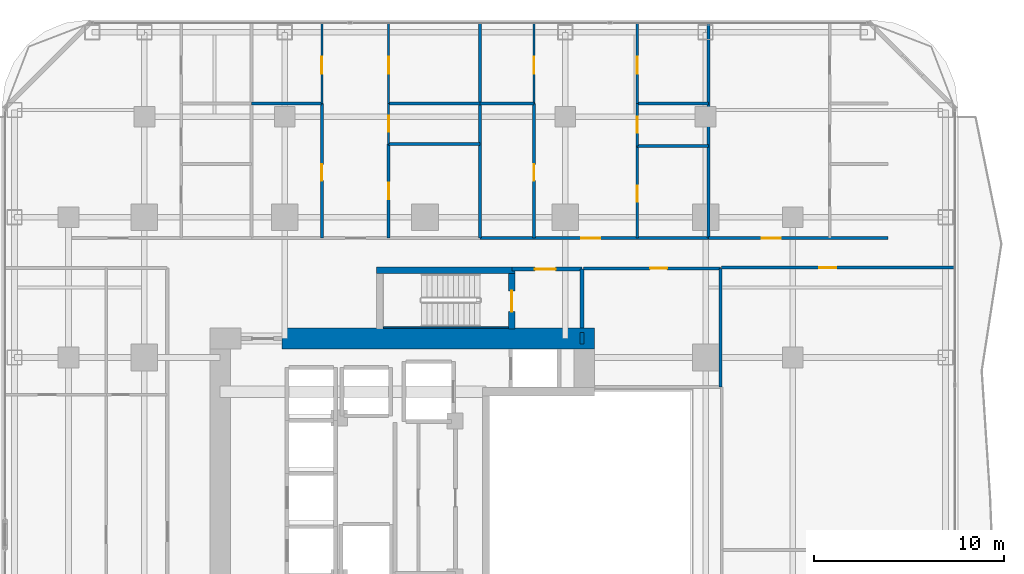
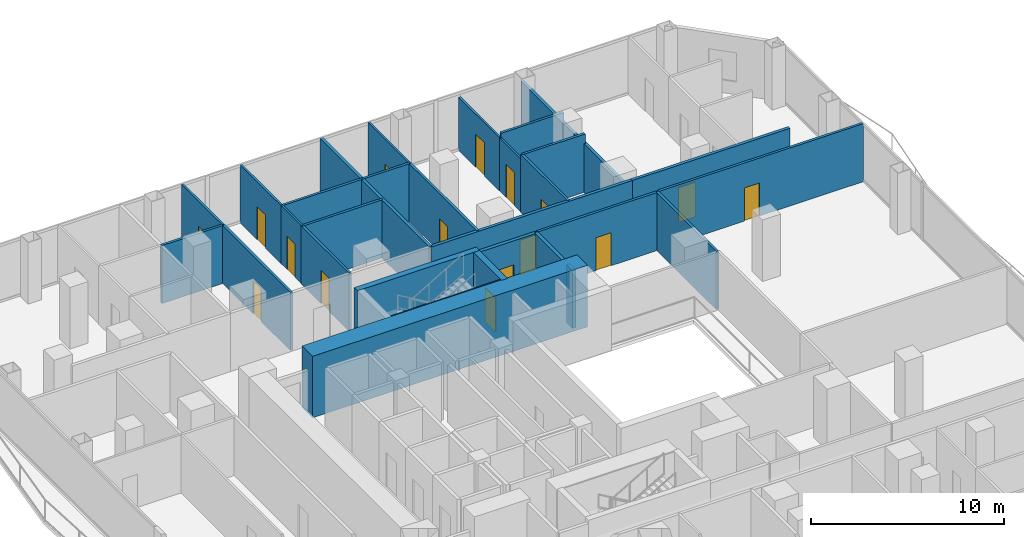
# One storey, part 23 of 27: 30 walls, 16 doors, 16 openings.
"""IFC4 building model written with IfcOpenShell, lengths in metres."""

from ifc_helpers import new_model, si_unit, direction, frame, frame_2d, origin, place, context, subcontext, project, spatial, rectangle, extrude, material, layer, layer_set, type_object, element, fill, save


model = new_model("IFC4")

# Units and contexts
model_context = context("Model", 3, precision=1e-05, world=origin(), true_north=direction((0.0, 1.0)))
body_context = subcontext(model_context, "Body", "Model", "MODEL_VIEW")
ifc_project = project(units=[si_unit("LENGTHUNIT", "METRE"), si_unit("AREAUNIT", "SQUARE_METRE"), si_unit("VOLUMEUNIT", "CUBIC_METRE"), si_unit("PLANEANGLEUNIT", "RADIAN"), si_unit("MASSUNIT", "GRAM", prefix="KILO")], contexts=[model_context])

# Site, building, storey
site_placement = place(None, origin())
site = spatial("IfcSite", under=ifc_project, at=site_placement, CompositionType="ELEMENT")
building_placement = place(site_placement, origin())
building = spatial("IfcBuilding", under=site, at=building_placement, Name="Khorvyn Point Tower", CompositionType="ELEMENT")
storey_placement = place(building_placement, frame((0.0, 0.0, 42.300048828125)))
storey = spatial("IfcBuildingStorey", under=building, at=storey_placement, Name="L11", CompositionType="ELEMENT", Elevation=42.300048828125)

# Wall, opening, door
ifc_material_1 = material(Name="Double acoustic gypsum on twin steel stud", Category="steel")
ifc_layer_1 = layer(ifc_material_1, 0.179931640625)
ifc_layer_set_1 = layer_set([ifc_layer_1], Name="Acoustic Double-Stud Apartment Demising Wall 180")
wall_type_1 = type_object("IfcWallType", Name="Acoustic Double-Stud Apartment Demising Wall 180", PredefinedType="PARTITIONING", material=ifc_layer_set_1)
wall_1_placement = place(storey_placement, frame((2.89990234375, 13.699951171875, 0.0), z_axis=(0.0, 0.0, 1.0), x_axis=(1.0, 0.0, 0.0)))
wall_1 = element("IfcWall", 1, at=wall_1_placement, inside=storey, type_object=wall_type_1, Name="Wall", PredefinedType="PARTITIONING", context=body_context, shape_type="SweptSolid", body=[
    extrude(rectangle(XDim=12.051025390625, YDim=0.179931640625, at=frame_2d((6.025390625, 0.0))), origin(), (0.0, 0.0, 1.0), 3.679931640625),
])
opening_1_placement = place(wall_1_placement, frame((5.3466796875, 0.0, 0.0)))
opening_1 = element("IfcOpeningElement", 2, at=opening_1_placement, cuts=wall_1, Name="Opening ID-AP60", PredefinedType="OPENING", context=body_context, shape_type="SweptSolid", body=[
    extrude(rectangle(XDim=1.0, YDim=2.199951171875, at=frame_2d((0.5, 1.10009765625))), frame((0.0, 0.099853515625, 0.0), z_axis=(0.0, -1.0, 0.0), x_axis=(1.0, 0.0, 0.0)), (0.0, 0.0, 1.0), 0.199951171875),
])
ifc_material_2 = material(Name="Engineered hardwood fire-rated leaf", Category="wood")
door_type_1 = type_object("IfcDoorType", Name="Acoustic Solid-Core Timber Apartment Entrance Door 1000x2200", OperationType="NOTDEFINED", PredefinedType="DOOR", material=ifc_material_2)
door_1_placement = place(opening_1_placement, origin())
door_1 = element("IfcDoor", 3, at=door_1_placement, inside=storey, type_object=door_type_1, Name="Door", OperationType="SINGLE_SWING_LEFT", OverallHeight=2.199951171875, OverallWidth=1.0, PredefinedType="DOOR", context=body_context, shape_type="SweptSolid", body=[
    extrude(rectangle(XDim=1.0, YDim=2.199951171875, at=frame_2d((0.5, 1.10009765625))), frame((0.0, 0.02490234375, 0.0), z_axis=(0.0, -1.0, 0.0), x_axis=(1.0, 0.0, 0.0)), (0.0, 0.0, 1.0), 0.050048828125),
])
fill(opening_1, door_1)

wall_2_placement = place(storey_placement, frame((14.950927734375, 13.699951171875, 0.0), z_axis=(0.0, 0.0, 1.0), x_axis=(1.0, 0.0, 0.0)))
wall_2 = element("IfcWall", 4, at=wall_2_placement, inside=storey, type_object=wall_type_1, Name="Wall", PredefinedType="PARTITIONING", context=body_context, shape_type="SweptSolid", body=[
    extrude(rectangle(XDim=9.468994140625, YDim=0.179931640625, at=frame_2d((4.734375, 0.0))), origin(), (0.0, 0.0, 1.0), 3.679931640625),
])
opening_2_placement = place(wall_2_placement, frame((2.8173828125, 0.0, 0.0)))
opening_2 = element("IfcOpeningElement", 5, at=opening_2_placement, cuts=wall_2, Name="Opening ID-AP60", PredefinedType="OPENING", context=body_context, shape_type="SweptSolid", body=[
    extrude(rectangle(XDim=1.0, YDim=2.199951171875, at=frame_2d((0.5, 1.10009765625))), frame((0.0, 0.099853515625, 0.0), z_axis=(0.0, -1.0, 0.0), x_axis=(1.0, 0.0, 0.0)), (0.0, 0.0, 1.0), 0.199951171875),
])
door_2_placement = place(opening_2_placement, origin())
door_2 = element("IfcDoor", 6, at=door_2_placement, inside=storey, type_object=door_type_1, Name="Door", OperationType="SINGLE_SWING_LEFT", OverallHeight=2.199951171875, OverallWidth=1.0, PredefinedType="DOOR", context=body_context, shape_type="SweptSolid", body=[
    extrude(rectangle(XDim=1.0, YDim=2.199951171875, at=frame_2d((0.5, 1.10009765625))), frame((0.0, 0.02490234375, 0.0), z_axis=(0.0, -1.0, 0.0), x_axis=(1.0, 0.0, 0.0)), (0.0, 0.0, 1.0), 0.050048828125),
])
fill(opening_2, door_2)

# Walls
wall_3_placement = place(storey_placement, frame((2.89990234375, 13.699951171875, 0.0), z_axis=(0.0, 0.0, 1.0), x_axis=(0.0, 1.0, 0.0)))
element("IfcWall", 7, at=wall_3_placement, inside=storey, type_object=wall_type_1, Name="Wall", PredefinedType="PARTITIONING", context=body_context, shape_type="SweptSolid", body=[
    extrude(rectangle(XDim=11.330078125, YDim=0.179931640625, at=frame_2d((5.6650390625, 0.0))), origin(), (0.0, 0.0, 1.0), 3.679931640625),
])
wall_4_placement = place(storey_placement, frame((14.950927734375, 13.699951171875, 0.0), z_axis=(0.0, 0.0, 1.0), x_axis=(0.0, 1.0, 0.0)))
element("IfcWall", 8, at=wall_4_placement, inside=storey, type_object=wall_type_1, Name="Wall", PredefinedType="PARTITIONING", context=body_context, shape_type="SweptSolid", body=[
    extrude(rectangle(XDim=11.330078125, YDim=0.179931640625, at=frame_2d((5.6650390625, 0.0))), origin(), (0.0, 0.0, 1.0), 3.08203125),
])

# Wall, opening, door
ifc_material_3 = material(Name="Concrete C40/50", Category="concrete")
ifc_layer_2 = layer(ifc_material_3, 0.199951171875)
ifc_layer_set_2 = layer_set([ifc_layer_2], Name="Concrete C40/50 Fire-Lobby Compartment Wall 200")
wall_type_2 = type_object("IfcWallType", Name="Concrete C40/50 Fire-Lobby Compartment Wall 200", PredefinedType="SOLIDWALL", material=ifc_layer_set_2)
wall_5_placement = place(storey_placement, frame((4.580078125, 12.06005859375, 0.0), z_axis=(0.0, 0.0, 1.0), x_axis=(1.0, 0.0, 0.0)))
wall_5 = element("IfcWall", 9, at=wall_5_placement, inside=storey, type_object=wall_type_2, Name="Wall", PredefinedType="SOLIDWALL", context=body_context, shape_type="SweptSolid", body=[
    extrude(rectangle(XDim=3.699951171875, YDim=0.199951171875, at=frame_2d((1.85009765625, 0.0))), origin(), (0.0, 0.0, 1.0), 3.679931640625),
])
opening_3_placement = place(wall_5_placement, frame((1.21240234375, 0.0, 0.0)))
opening_3 = element("IfcOpeningElement", 10, at=opening_3_placement, cuts=wall_5, Name="Opening ID-FL90", PredefinedType="OPENING", context=body_context, shape_type="SweptSolid", body=[
    extrude(rectangle(XDim=1.10009765625, YDim=2.14990234375, at=frame_2d((0.550048828125, 1.074951171875))), frame((0.0, 0.10986328125, 0.0), z_axis=(0.0, -1.0, 0.0), x_axis=(1.0, 0.0, 0.0)), (0.0, 0.0, 1.0), 0.219970703125),
])
ifc_material_4 = material(Name="Galvanised powder-coated steel", Category="steel")
door_type_2 = type_object("IfcDoorType", Name="Fire-Rated Steel Lobby and Stair Door 1100x2150", OperationType="NOTDEFINED", PredefinedType="DOOR", material=ifc_material_4)
door_3_placement = place(opening_3_placement, origin())
door_3 = element("IfcDoor", 11, at=door_3_placement, inside=storey, type_object=door_type_2, Name="Door", OperationType="SINGLE_SWING_RIGHT", OverallHeight=2.14990234375, OverallWidth=1.10009765625, PredefinedType="DOOR", context=body_context, shape_type="SweptSolid", body=[
    extrude(rectangle(XDim=1.10009765625, YDim=2.14990234375, at=frame_2d((0.550048828125, 1.074951171875))), frame((0.0, 0.02490234375, 0.0), z_axis=(0.0, -1.0, 0.0), x_axis=(1.0, 0.0, 0.0)), (0.0, 0.0, 1.0), 0.050048828125),
])
fill(opening_3, door_3)

# Walls
wall_6_placement = place(storey_placement, frame((8.280029296875, 8.949951171875, 0.0), z_axis=(0.0, 0.0, 1.0), x_axis=(0.0, 1.0, 0.0)))
element("IfcWall", 12, at=wall_6_placement, inside=storey, type_object=wall_type_2, Name="Wall", PredefinedType="SOLIDWALL", context=body_context, shape_type="SweptSolid", body=[
    extrude(rectangle(XDim=3.110107421875, YDim=0.199951171875, at=frame_2d((1.55517578125, 0.0))), origin(), (0.0, 0.0, 1.0), 3.679931640625),
])
wall_7_placement = place(storey_placement, frame((8.280029296875, 8.10009765625, 0.0), z_axis=(0.0, 0.0, 1.0), x_axis=(0.0, 1.0, 0.0)))
element("IfcWall", 13, at=wall_7_placement, inside=storey, type_object=wall_type_2, Name="Wall", PredefinedType="SOLIDWALL", context=body_context, shape_type="SweptSolid", body=[
    extrude(rectangle(XDim=0.625, YDim=0.199951171875, at=frame_2d((0.3125, 0.0))), origin(), (0.0, 0.0, 1.0), 3.679931640625),
])
ifc_layer_3 = layer(ifc_material_3, 0.25)
ifc_layer_set_3 = layer_set([ifc_layer_3], Name="Concrete C40/50 Stair Inner Cheek Structural Wall 250")
wall_type_3 = type_object("IfcWallType", Name="Concrete C40/50 Stair Inner Cheek Structural Wall 250", PredefinedType="SHEAR", material=ifc_layer_set_3)
wall_8_placement = place(storey_placement, frame((-2.199951171875, 8.987548828125, 0.0), z_axis=(0.0, 0.0, 1.0), x_axis=(1.0, 0.0, 0.0)))
element("IfcWall", 14, at=wall_8_placement, inside=storey, type_object=wall_type_3, Name="Wall", PredefinedType="SHEAR", context=body_context, shape_type="SweptSolid", body=[
    extrude(rectangle(XDim=6.599853515625, YDim=0.074951171875, at=frame_2d((3.2998046875, 0.0))), origin(), (0.0, 0.0, 1.0), 3.89990234375),
])
ifc_layer_4 = layer(ifc_material_3, 0.35009765625)
ifc_layer_set_4 = layer_set([ifc_layer_4], Name="Concrete C40/50 Stair Shaft Structural Wall 350")
wall_type_4 = type_object("IfcWallType", Name="Concrete C40/50 Stair Shaft Structural Wall 350", PredefinedType="SHEAR", material=ifc_layer_set_4)
wall_9_placement = place(storey_placement, frame((-2.554931640625, 12.0, 0.0), z_axis=(0.0, 0.0, 1.0), x_axis=(1.0, 0.0, 0.0)))
element("IfcWall", 15, at=wall_9_placement, inside=storey, type_object=wall_type_4, Name="L11 ST-02 North Shaft Wall", PredefinedType="SHEAR", context=body_context, shape_type="SweptSolid", body=[
    extrude(rectangle(XDim=7.309814453125, YDim=0.35009765625, at=frame_2d((3.65478515625, 0.0))), origin(), (0.0, 0.0, 1.0), 3.89990234375),
])

# Wall, opening, door
wall_10_placement = place(storey_placement, frame((4.580078125, 11.824951171875, 0.0), z_axis=(0.0, 0.0, 1.0), x_axis=(0.0, -1.0, 0.0)))
wall_10 = element("IfcWall", 16, at=wall_10_placement, inside=storey, type_object=wall_type_4, Name="L11 ST-02 East Landing Door Wall", PredefinedType="SHEAR", context=body_context, shape_type="SweptSolid", body=[
    extrude(rectangle(XDim=2.925048828125, YDim=0.35009765625, at=frame_2d((1.46240234375, 0.0))), origin(), (0.0, 0.0, 1.0), 3.89990234375),
])
opening_4_placement = place(wall_10_placement, frame((0.91259765625, 0.0, 0.0)))
opening_4 = element("IfcOpeningElement", 17, at=opening_4_placement, cuts=wall_10, Name="Opening ID-FL90", PredefinedType="OPENING", context=body_context, shape_type="SweptSolid", body=[
    extrude(rectangle(XDim=1.10009765625, YDim=2.14990234375, at=frame_2d((0.550048828125, 1.074951171875))), frame((0.0, 0.18505859375, 0.0), z_axis=(0.0, -1.0, 0.0), x_axis=(1.0, 0.0, 0.0)), (0.0, 0.0, 1.0), 0.3701171875),
])
door_4_placement = place(opening_4_placement, origin())
door_4 = element("IfcDoor", 18, at=door_4_placement, inside=storey, type_object=door_type_2, Name="L11 ST-02 Smokeproof Landing Door", OperationType="SINGLE_SWING_RIGHT", OverallHeight=2.14990234375, OverallWidth=1.10009765625, PredefinedType="DOOR", context=body_context, shape_type="SweptSolid", body=[
    extrude(rectangle(XDim=1.10009765625, YDim=2.14990234375, at=frame_2d((0.550048828125, 1.074951171875))), frame((0.0, 0.02490234375, 0.0), z_axis=(0.0, -1.0, 0.0), x_axis=(1.0, 0.0, 0.0)), (0.0, 0.0, 1.0), 0.050048828125),
])
fill(opening_4, door_4)

# Wall
ifc_material_5 = material(Name="Concrete C50/60", Category="concrete")
ifc_layer_5 = layer(ifc_material_5, 1.10009765625)
ifc_layer_set_5 = layer_set([ifc_layer_5], Name="Concrete C50/60 Core Shear Wall 1100")
wall_type_5 = type_object("IfcWallType", Name="Concrete C50/60 Core Shear Wall 1100", PredefinedType="SHEAR", material=ifc_layer_set_5)
wall_11_placement = place(storey_placement, frame((-7.550048828125, 8.39990234375, 0.0), z_axis=(0.0, 0.0, 1.0), x_axis=(1.0, 0.0, 0.0)))
element("IfcWall", 19, at=wall_11_placement, inside=storey, type_object=wall_type_5, Name="Wall", PredefinedType="SHEAR", context=body_context, shape_type="SweptSolid", body=[
    extrude(rectangle(XDim=16.5, YDim=1.10009765625, at=frame_2d((8.25, 0.0))), origin(), (0.0, 0.0, 1.0), 3.89990234375),
])

# Wall, opening, door
ifc_material_6 = material(Name="Gypsum plasterboard on steel stud", Category="steel")
ifc_layer_6 = layer(ifc_material_6, 0.1201171875)
ifc_layer_set_6 = layer_set([ifc_layer_6], Name="Gypsum Acoustic Stud Room Partition Wall 120")
wall_type_6 = type_object("IfcWallType", Name="Gypsum Acoustic Stud Room Partition Wall 120", PredefinedType="PARTITIONING", material=ifc_layer_set_6)
wall_12_placement = place(storey_placement, frame((-5.43408203125, 20.7900390625, 0.0), z_axis=(0.0, 0.0, 1.0), x_axis=(0.0, 1.0, 0.0)))
wall_12 = element("IfcWall", 20, at=wall_12_placement, inside=storey, type_object=wall_type_6, Name="Wall", PredefinedType="PARTITIONING", context=body_context, shape_type="SweptSolid", body=[
    extrude(rectangle(XDim=4.239990234375, YDim=0.1201171875, at=frame_2d((2.1201171875, 0.0))), origin(), (0.0, 0.0, 1.0), 3.679931640625),
])
opening_5_placement = place(wall_12_placement, frame((1.581298828125, 0.0, 0.0)))
opening_5 = element("IfcOpeningElement", 21, at=opening_5_placement, cuts=wall_12, Name="Opening ID-RM90", PredefinedType="OPENING", context=body_context, shape_type="SweptSolid", body=[
    extrude(rectangle(XDim=0.89990234375, YDim=2.10009765625, at=frame_2d((0.449951171875, 1.050048828125))), frame((0.0, 0.070068359375, 0.0), z_axis=(0.0, -1.0, 0.0), x_axis=(1.0, 0.0, 0.0)), (0.0, 0.0, 1.0), 0.14013671875),
])
ifc_material_7 = material(Name="Engineered oak veneer timber", Category="wood")
door_type_3 = type_object("IfcDoorType", Name="Flush Engineered Timber Room Door 900x2100", OperationType="NOTDEFINED", PredefinedType="DOOR", material=ifc_material_7)
door_5_placement = place(opening_5_placement, origin())
door_5 = element("IfcDoor", 22, at=door_5_placement, inside=storey, type_object=door_type_3, Name="Door", OperationType="SINGLE_SWING_LEFT", OverallHeight=2.10009765625, OverallWidth=0.89990234375, PredefinedType="DOOR", context=body_context, shape_type="SweptSolid", body=[
    extrude(rectangle(XDim=0.89990234375, YDim=2.10009765625, at=frame_2d((0.449951171875, 1.050048828125))), frame((0.0, 0.02490234375, 0.0), z_axis=(0.0, -1.0, 0.0), x_axis=(1.0, 0.0, 0.0)), (0.0, 0.0, 1.0), 0.050048828125),
])
fill(opening_5, door_5)

wall_13_placement = place(storey_placement, frame((-1.919921875, 18.6630859375, 0.0), z_axis=(0.0, 0.0, 1.0), x_axis=(0.0, 1.0, 0.0)))
wall_13 = element("IfcWall", 23, at=wall_13_placement, inside=storey, type_object=wall_type_6, Name="Wall", PredefinedType="PARTITIONING", context=body_context, shape_type="SweptSolid", body=[
    extrude(rectangle(XDim=2.126953125, YDim=0.1201171875, at=frame_2d((1.0634765625, 0.0))), origin(), (0.0, 0.0, 1.0), 3.679931640625),
])
opening_6_placement = place(wall_13_placement, frame((0.638427734375, 0.0, 0.0)))
opening_6 = element("IfcOpeningElement", 24, at=opening_6_placement, cuts=wall_13, Name="Opening ID-WC85", PredefinedType="OPENING", context=body_context, shape_type="SweptSolid", body=[
    extrude(rectangle(XDim=0.85009765625, YDim=2.10009765625, at=frame_2d((0.425048828125, 1.050048828125))), frame((0.0, 0.070068359375, 0.0), z_axis=(0.0, -1.0, 0.0), x_axis=(1.0, 0.0, 0.0)), (0.0, 0.0, 1.0), 0.14013671875),
])
ifc_material_8 = material(Name="High-pressure laminate on moisture-resistant core", Category="wood")
door_type_4 = type_object("IfcDoorType", Name="Moisture-Resistant Accessible Washroom Door 850x2100", OperationType="NOTDEFINED", PredefinedType="DOOR", material=ifc_material_8)
door_6_placement = place(opening_6_placement, origin())
door_6 = element("IfcDoor", 25, at=door_6_placement, inside=storey, type_object=door_type_4, Name="Door", OperationType="SINGLE_SWING_LEFT", OverallHeight=2.10009765625, OverallWidth=0.85009765625, PredefinedType="DOOR", context=body_context, shape_type="SweptSolid", body=[
    extrude(rectangle(XDim=0.85009765625, YDim=2.10009765625, at=frame_2d((0.425048828125, 1.050048828125))), frame((0.0, 0.02490234375, 0.0), z_axis=(0.0, -1.0, 0.0), x_axis=(1.0, 0.0, 0.0)), (0.0, 0.0, 1.0), 0.050048828125),
])
fill(opening_6, door_6)

wall_14_placement = place(storey_placement, frame((-1.919921875, 20.7900390625, 0.0), z_axis=(0.0, 0.0, 1.0), x_axis=(0.0, 1.0, 0.0)))
wall_14 = element("IfcWall", 26, at=wall_14_placement, inside=storey, type_object=wall_type_6, Name="Wall", PredefinedType="PARTITIONING", context=body_context, shape_type="SweptSolid", body=[
    extrude(rectangle(XDim=4.239990234375, YDim=0.1201171875, at=frame_2d((2.1201171875, 0.0))), origin(), (0.0, 0.0, 1.0), 3.679931640625),
])
opening_7_placement = place(wall_14_placement, frame((1.581298828125, 0.0, 0.0)))
opening_7 = element("IfcOpeningElement", 27, at=opening_7_placement, cuts=wall_14, Name="Opening ID-RM90", PredefinedType="OPENING", context=body_context, shape_type="SweptSolid", body=[
    extrude(rectangle(XDim=0.89990234375, YDim=2.10009765625, at=frame_2d((0.449951171875, 1.050048828125))), frame((0.0, 0.070068359375, 0.0), z_axis=(0.0, -1.0, 0.0), x_axis=(1.0, 0.0, 0.0)), (0.0, 0.0, 1.0), 0.14013671875),
])
door_7_placement = place(opening_7_placement, origin())
door_7 = element("IfcDoor", 28, at=door_7_placement, inside=storey, type_object=door_type_3, Name="Door", OperationType="SINGLE_SWING_RIGHT", OverallHeight=2.10009765625, OverallWidth=0.89990234375, PredefinedType="DOOR", context=body_context, shape_type="SweptSolid", body=[
    extrude(rectangle(XDim=0.89990234375, YDim=2.10009765625, at=frame_2d((0.449951171875, 1.050048828125))), frame((0.0, 0.02490234375, 0.0), z_axis=(0.0, -1.0, 0.0), x_axis=(1.0, 0.0, 0.0)), (0.0, 0.0, 1.0), 0.050048828125),
])
fill(opening_7, door_7)

wall_15_placement = place(storey_placement, frame((5.75, 20.7900390625, 0.0), z_axis=(0.0, 0.0, 1.0), x_axis=(0.0, 1.0, 0.0)))
wall_15 = element("IfcWall", 29, at=wall_15_placement, inside=storey, type_object=wall_type_6, Name="Wall", PredefinedType="PARTITIONING", context=body_context, shape_type="SweptSolid", body=[
    extrude(rectangle(XDim=4.239990234375, YDim=0.1201171875, at=frame_2d((2.1201171875, 0.0))), origin(), (0.0, 0.0, 1.0), 3.679931640625),
])
opening_8_placement = place(wall_15_placement, frame((1.581298828125, 0.0, 0.0)))
opening_8 = element("IfcOpeningElement", 30, at=opening_8_placement, cuts=wall_15, Name="Opening ID-RM90", PredefinedType="OPENING", context=body_context, shape_type="SweptSolid", body=[
    extrude(rectangle(XDim=0.89990234375, YDim=2.10009765625, at=frame_2d((0.449951171875, 1.050048828125))), frame((0.0, 0.070068359375, 0.0), z_axis=(0.0, -1.0, 0.0), x_axis=(1.0, 0.0, 0.0)), (0.0, 0.0, 1.0), 0.14013671875),
])
door_8_placement = place(opening_8_placement, origin())
door_8 = element("IfcDoor", 31, at=door_8_placement, inside=storey, type_object=door_type_3, Name="Door", OperationType="SINGLE_SWING_LEFT", OverallHeight=2.10009765625, OverallWidth=0.89990234375, PredefinedType="DOOR", context=body_context, shape_type="SweptSolid", body=[
    extrude(rectangle(XDim=0.89990234375, YDim=2.10009765625, at=frame_2d((0.449951171875, 1.050048828125))), frame((0.0, 0.02490234375, 0.0), z_axis=(0.0, -1.0, 0.0), x_axis=(1.0, 0.0, 0.0)), (0.0, 0.0, 1.0), 0.050048828125),
])
fill(opening_8, door_8)

wall_16_placement = place(storey_placement, frame((11.19091796875, 18.556884765625, 0.0), z_axis=(0.0, 0.0, 1.0), x_axis=(0.0, 1.0, 0.0)))
wall_16 = element("IfcWall", 32, at=wall_16_placement, inside=storey, type_object=wall_type_6, Name="Wall", PredefinedType="PARTITIONING", context=body_context, shape_type="SweptSolid", body=[
    extrude(rectangle(XDim=2.233154296875, YDim=0.1201171875, at=frame_2d((1.11669921875, 0.0))), origin(), (0.0, 0.0, 1.0), 3.369873046875),
])
opening_9_placement = place(wall_16_placement, frame((0.69140625, 0.0, 0.0)))
opening_9 = element("IfcOpeningElement", 33, at=opening_9_placement, cuts=wall_16, Name="Opening ID-WC85", PredefinedType="OPENING", context=body_context, shape_type="SweptSolid", body=[
    extrude(rectangle(XDim=0.85009765625, YDim=2.10009765625, at=frame_2d((0.425048828125, 1.050048828125))), frame((0.0, 0.070068359375, 0.0), z_axis=(0.0, -1.0, 0.0), x_axis=(1.0, 0.0, 0.0)), (0.0, 0.0, 1.0), 0.14013671875),
])
door_9_placement = place(opening_9_placement, origin())
door_9 = element("IfcDoor", 34, at=door_9_placement, inside=storey, type_object=door_type_4, Name="Door", OperationType="SINGLE_SWING_LEFT", OverallHeight=2.10009765625, OverallWidth=0.85009765625, PredefinedType="DOOR", context=body_context, shape_type="SweptSolid", body=[
    extrude(rectangle(XDim=0.85009765625, YDim=2.10009765625, at=frame_2d((0.425048828125, 1.050048828125))), frame((0.0, 0.02490234375, 0.0), z_axis=(0.0, -1.0, 0.0), x_axis=(1.0, 0.0, 0.0)), (0.0, 0.0, 1.0), 0.050048828125),
])
fill(opening_9, door_9)

wall_17_placement = place(storey_placement, frame((11.19091796875, 20.7900390625, 0.0), z_axis=(0.0, 0.0, 1.0), x_axis=(0.0, 1.0, 0.0)))
wall_17 = element("IfcWall", 35, at=wall_17_placement, inside=storey, type_object=wall_type_6, Name="Wall", PredefinedType="PARTITIONING", context=body_context, shape_type="SweptSolid", body=[
    extrude(rectangle(XDim=4.239990234375, YDim=0.1201171875, at=frame_2d((2.1201171875, 0.0))), origin(), (0.0, 0.0, 1.0), 3.369873046875),
])
opening_10_placement = place(wall_17_placement, frame((1.581298828125, 0.0, 0.0)))
opening_10 = element("IfcOpeningElement", 36, at=opening_10_placement, cuts=wall_17, Name="Opening ID-RM90", PredefinedType="OPENING", context=body_context, shape_type="SweptSolid", body=[
    extrude(rectangle(XDim=0.89990234375, YDim=2.10009765625, at=frame_2d((0.449951171875, 1.050048828125))), frame((0.0, 0.070068359375, 0.0), z_axis=(0.0, -1.0, 0.0), x_axis=(1.0, 0.0, 0.0)), (0.0, 0.0, 1.0), 0.14013671875),
])
door_10_placement = place(opening_10_placement, origin())
door_10 = element("IfcDoor", 37, at=door_10_placement, inside=storey, type_object=door_type_3, Name="Door", OperationType="SINGLE_SWING_RIGHT", OverallHeight=2.10009765625, OverallWidth=0.89990234375, PredefinedType="DOOR", context=body_context, shape_type="SweptSolid", body=[
    extrude(rectangle(XDim=0.89990234375, YDim=2.10009765625, at=frame_2d((0.449951171875, 1.050048828125))), frame((0.0, 0.02490234375, 0.0), z_axis=(0.0, -1.0, 0.0), x_axis=(1.0, 0.0, 0.0)), (0.0, 0.0, 1.0), 0.050048828125),
])
fill(opening_10, door_10)

ifc_material_9 = material(Name="Moisture-resistant gypsum and cement board", Category="gypsum")
ifc_layer_7 = layer(ifc_material_9, 0.14990234375)
ifc_layer_set_7 = layer_set([ifc_layer_7], Name="Moisture-Resistant Wet-Room Partition Wall 150")
wall_type_7 = type_object("IfcWallType", Name="Moisture-Resistant Wet-Room Partition Wall 150", PredefinedType="PARTITIONING", material=ifc_layer_set_7)
wall_18_placement = place(storey_placement, frame((8.360107421875, 12.10009765625, 0.0), z_axis=(0.0, 0.0, 1.0), x_axis=(1.0, 0.0, 0.0)))
wall_18 = element("IfcWall", 38, at=wall_18_placement, inside=storey, type_object=wall_type_7, Name="Wall", PredefinedType="PARTITIONING", context=body_context, shape_type="SweptSolid", body=[
    extrude(rectangle(XDim=7.219970703125, YDim=0.14990234375, at=frame_2d((3.60986328125, 0.0))), origin(), (0.0, 0.0, 1.0), 3.679931640625),
])
opening_11_placement = place(wall_18_placement, frame((3.512939453125, 0.0, 0.0)))
opening_11 = element("IfcOpeningElement", 39, at=opening_11_placement, cuts=wall_18, Name="Opening ID-RM90", PredefinedType="OPENING", context=body_context, shape_type="SweptSolid", body=[
    extrude(rectangle(XDim=0.89990234375, YDim=2.10009765625, at=frame_2d((0.449951171875, 1.050048828125))), frame((0.0, 0.0849609375, 0.0), z_axis=(0.0, -1.0, 0.0), x_axis=(1.0, 0.0, 0.0)), (0.0, 0.0, 1.0), 0.169921875),
])
door_11_placement = place(opening_11_placement, origin())
door_11 = element("IfcDoor", 40, at=door_11_placement, inside=storey, type_object=door_type_3, Name="Door", OperationType="SINGLE_SWING_RIGHT", OverallHeight=2.10009765625, OverallWidth=0.89990234375, PredefinedType="DOOR", context=body_context, shape_type="SweptSolid", body=[
    extrude(rectangle(XDim=0.89990234375, YDim=2.10009765625, at=frame_2d((0.449951171875, 1.050048828125))), frame((0.0, 0.02490234375, 0.0), z_axis=(0.0, -1.0, 0.0), x_axis=(1.0, 0.0, 0.0)), (0.0, 0.0, 1.0), 0.050048828125),
])
fill(opening_11, door_11)

wall_19_placement = place(storey_placement, frame((-5.43408203125, 13.699951171875, 0.0), z_axis=(0.0, 0.0, 1.0), x_axis=(0.0, 1.0, 0.0)))
wall_19 = element("IfcWall", 41, at=wall_19_placement, inside=storey, type_object=wall_type_7, Name="Wall", PredefinedType="PARTITIONING", context=body_context, shape_type="SweptSolid", body=[
    extrude(rectangle(XDim=7.090087890625, YDim=0.14990234375, at=frame_2d((3.544921875, 0.0))), origin(), (0.0, 0.0, 1.0), 3.679931640625),
])
opening_12_placement = place(wall_19_placement, frame((3.0302734375, 0.0, 0.0)))
opening_12 = element("IfcOpeningElement", 42, at=opening_12_placement, cuts=wall_19, Name="Opening ID-WC85", PredefinedType="OPENING", context=body_context, shape_type="SweptSolid", body=[
    extrude(rectangle(XDim=0.85009765625, YDim=2.10009765625, at=frame_2d((0.425048828125, 1.050048828125))), frame((0.0, 0.0849609375, 0.0), z_axis=(0.0, -1.0, 0.0), x_axis=(1.0, 0.0, 0.0)), (0.0, 0.0, 1.0), 0.169921875),
])
door_12_placement = place(opening_12_placement, origin())
door_12 = element("IfcDoor", 43, at=door_12_placement, inside=storey, type_object=door_type_4, Name="Door", OperationType="SINGLE_SWING_RIGHT", OverallHeight=2.10009765625, OverallWidth=0.85009765625, PredefinedType="DOOR", context=body_context, shape_type="SweptSolid", body=[
    extrude(rectangle(XDim=0.85009765625, YDim=2.10009765625, at=frame_2d((0.425048828125, 1.050048828125))), frame((0.0, 0.02490234375, 0.0), z_axis=(0.0, -1.0, 0.0), x_axis=(1.0, 0.0, 0.0)), (0.0, 0.0, 1.0), 0.050048828125),
])
fill(opening_12, door_12)

wall_20_placement = place(storey_placement, frame((-1.919921875, 13.699951171875, 0.0), z_axis=(0.0, 0.0, 1.0), x_axis=(0.0, 1.0, 0.0)))
wall_20 = element("IfcWall", 44, at=wall_20_placement, inside=storey, type_object=wall_type_7, Name="Wall", PredefinedType="PARTITIONING", context=body_context, shape_type="SweptSolid", body=[
    extrude(rectangle(XDim=4.963134765625, YDim=0.14990234375, at=frame_2d((2.4814453125, 0.0))), origin(), (0.0, 0.0, 1.0), 3.679931640625),
])
opening_13_placement = place(wall_20_placement, frame((2.056396484375, 0.0, 0.0)))
opening_13 = element("IfcOpeningElement", 45, at=opening_13_placement, cuts=wall_20, Name="Opening ID-WC85", PredefinedType="OPENING", context=body_context, shape_type="SweptSolid", body=[
    extrude(rectangle(XDim=0.85009765625, YDim=2.10009765625, at=frame_2d((0.425048828125, 1.050048828125))), frame((0.0, 0.0849609375, 0.0), z_axis=(0.0, -1.0, 0.0), x_axis=(1.0, 0.0, 0.0)), (0.0, 0.0, 1.0), 0.169921875),
])
door_13_placement = place(opening_13_placement, origin())
door_13 = element("IfcDoor", 46, at=door_13_placement, inside=storey, type_object=door_type_4, Name="Door", OperationType="SINGLE_SWING_RIGHT", OverallHeight=2.10009765625, OverallWidth=0.85009765625, PredefinedType="DOOR", context=body_context, shape_type="SweptSolid", body=[
    extrude(rectangle(XDim=0.85009765625, YDim=2.10009765625, at=frame_2d((0.425048828125, 1.050048828125))), frame((0.0, 0.02490234375, 0.0), z_axis=(0.0, -1.0, 0.0), x_axis=(1.0, 0.0, 0.0)), (0.0, 0.0, 1.0), 0.050048828125),
])
fill(opening_13, door_13)

wall_21_placement = place(storey_placement, frame((5.75, 13.699951171875, 0.0), z_axis=(0.0, 0.0, 1.0), x_axis=(0.0, 1.0, 0.0)))
wall_21 = element("IfcWall", 47, at=wall_21_placement, inside=storey, type_object=wall_type_7, Name="Wall", PredefinedType="PARTITIONING", context=body_context, shape_type="SweptSolid", body=[
    extrude(rectangle(XDim=7.090087890625, YDim=0.14990234375, at=frame_2d((3.544921875, 0.0))), origin(), (0.0, 0.0, 1.0), 3.679931640625),
])
opening_14_placement = place(wall_21_placement, frame((3.0302734375, 0.0, 0.0)))
opening_14 = element("IfcOpeningElement", 48, at=opening_14_placement, cuts=wall_21, Name="Opening ID-WC85", PredefinedType="OPENING", context=body_context, shape_type="SweptSolid", body=[
    extrude(rectangle(XDim=0.85009765625, YDim=2.10009765625, at=frame_2d((0.425048828125, 1.050048828125))), frame((0.0, 0.0849609375, 0.0), z_axis=(0.0, -1.0, 0.0), x_axis=(1.0, 0.0, 0.0)), (0.0, 0.0, 1.0), 0.169921875),
])
door_14_placement = place(opening_14_placement, origin())
door_14 = element("IfcDoor", 49, at=door_14_placement, inside=storey, type_object=door_type_4, Name="Door", OperationType="SINGLE_SWING_RIGHT", OverallHeight=2.10009765625, OverallWidth=0.85009765625, PredefinedType="DOOR", context=body_context, shape_type="SweptSolid", body=[
    extrude(rectangle(XDim=0.85009765625, YDim=2.10009765625, at=frame_2d((0.425048828125, 1.050048828125))), frame((0.0, 0.02490234375, 0.0), z_axis=(0.0, -1.0, 0.0), x_axis=(1.0, 0.0, 0.0)), (0.0, 0.0, 1.0), 0.050048828125),
])
fill(opening_14, door_14)

wall_22_placement = place(storey_placement, frame((11.19091796875, 13.699951171875, 0.0), z_axis=(0.0, 0.0, 1.0), x_axis=(0.0, 1.0, 0.0)))
wall_22 = element("IfcWall", 50, at=wall_22_placement, inside=storey, type_object=wall_type_7, Name="Wall", PredefinedType="PARTITIONING", context=body_context, shape_type="SweptSolid", body=[
    extrude(rectangle(XDim=4.85693359375, YDim=0.14990234375, at=frame_2d((2.428466796875, 0.0))), origin(), (0.0, 0.0, 1.0), 3.679931640625),
])
opening_15_placement = place(wall_22_placement, frame((1.915771484375, 0.0, 0.0)))
opening_15 = element("IfcOpeningElement", 51, at=opening_15_placement, cuts=wall_22, Name="Opening ID-WC85", PredefinedType="OPENING", context=body_context, shape_type="SweptSolid", body=[
    extrude(rectangle(XDim=0.85009765625, YDim=2.10009765625, at=frame_2d((0.425048828125, 1.050048828125))), frame((0.0, 0.0849609375, 0.0), z_axis=(0.0, -1.0, 0.0), x_axis=(1.0, 0.0, 0.0)), (0.0, 0.0, 1.0), 0.169921875),
])
door_15_placement = place(opening_15_placement, origin())
door_15 = element("IfcDoor", 52, at=door_15_placement, inside=storey, type_object=door_type_4, Name="Door", OperationType="SINGLE_SWING_RIGHT", OverallHeight=2.10009765625, OverallWidth=0.85009765625, PredefinedType="DOOR", context=body_context, shape_type="SweptSolid", body=[
    extrude(rectangle(XDim=0.85009765625, YDim=2.10009765625, at=frame_2d((0.425048828125, 1.050048828125))), frame((0.0, 0.02490234375, 0.0), z_axis=(0.0, -1.0, 0.0), x_axis=(1.0, 0.0, 0.0)), (0.0, 0.0, 1.0), 0.050048828125),
])
fill(opening_15, door_15)

wall_23_placement = place(storey_placement, frame((15.64990234375, 12.139892578125, 0.0), z_axis=(0.0, 0.0, 1.0), x_axis=(1.0, 0.0, 0.0)))
wall_23 = element("IfcWall", 53, at=wall_23_placement, inside=storey, type_object=wall_type_7, Name="Wall", PredefinedType="PARTITIONING", context=body_context, shape_type="SweptSolid", body=[
    extrude(rectangle(XDim=12.27001953125, YDim=0.14990234375, at=frame_2d((6.135009765625, 0.0))), origin(), (0.0, 0.0, 1.0), 3.679931640625),
])
opening_16_placement = place(wall_23_placement, frame((5.150390625, 0.0, 0.0)))
opening_16 = element("IfcOpeningElement", 54, at=opening_16_placement, cuts=wall_23, Name="Opening ID-RM90", PredefinedType="OPENING", context=body_context, shape_type="SweptSolid", body=[
    extrude(rectangle(XDim=0.89990234375, YDim=2.10009765625, at=frame_2d((0.449951171875, 1.050048828125))), frame((0.0, 0.0849609375, 0.0), z_axis=(0.0, -1.0, 0.0), x_axis=(1.0, 0.0, 0.0)), (0.0, 0.0, 1.0), 0.169921875),
])
door_16_placement = place(opening_16_placement, origin())
door_16 = element("IfcDoor", 55, at=door_16_placement, inside=storey, type_object=door_type_3, Name="Door", OperationType="SINGLE_SWING_LEFT", OverallHeight=2.10009765625, OverallWidth=0.89990234375, PredefinedType="DOOR", context=body_context, shape_type="SweptSolid", body=[
    extrude(rectangle(XDim=0.89990234375, YDim=2.10009765625, at=frame_2d((0.449951171875, 1.050048828125))), frame((0.0, 0.02490234375, 0.0), z_axis=(0.0, -1.0, 0.0), x_axis=(1.0, 0.0, 0.0)), (0.0, 0.0, 1.0), 0.050048828125),
])
fill(opening_16, door_16)

# Walls
wall_24_placement = place(storey_placement, frame((15.580078125, 5.85009765625, 0.0), z_axis=(0.0, 0.0, 1.0), x_axis=(0.0, 1.0, 0.0)))
element("IfcWall", 56, at=wall_24_placement, inside=storey, type_object=wall_type_7, Name="Wall", PredefinedType="PARTITIONING", context=body_context, shape_type="SweptSolid", body=[
    extrude(rectangle(XDim=6.25, YDim=0.14990234375, at=frame_2d((3.125, 0.0))), origin(), (0.0, 0.0, 1.0), 3.679931640625),
])
wall_25_placement = place(storey_placement, frame((-9.15087890625, 20.7900390625, 0.0), z_axis=(0.0, 0.0, 1.0), x_axis=(1.0, 0.0, 0.0)))
element("IfcWall", 57, at=wall_25_placement, inside=storey, type_object=wall_type_7, Name="Wall", PredefinedType="PARTITIONING", context=body_context, shape_type="SweptSolid", body=[
    extrude(rectangle(XDim=3.716796875, YDim=0.14990234375, at=frame_2d((1.8583984375, 0.0))), origin(), (0.0, 0.0, 1.0), 3.679931640625),
])
for number, where, z_axis, x_axis, name in (
    (58, (-1.919921875, 18.6630859375, 0.0), (0.0, 0.0, 1.0), (1.0, 0.0, 0.0), "Wall"),
    (59, (-1.919921875, 20.7900390625, 0.0), (0.0, 0.0, 1.0), (1.0, 0.0, 0.0), "Wall"),
):
    element("IfcWall", number, at=place(storey_placement, frame(where, z_axis=z_axis, x_axis=x_axis)), inside=storey, type_object=wall_type_7, Name=name, PredefinedType="PARTITIONING", context=body_context, shape_type="SweptSolid", body=[
        extrude(rectangle(XDim=4.81982421875, YDim=0.14990234375, at=frame_2d((2.409912109375, 0.0))), origin(), (0.0, 0.0, 1.0), 3.679931640625),
    ])
wall_26_placement = place(storey_placement, frame((2.89990234375, 20.7900390625, 0.0), z_axis=(0.0, 0.0, 1.0), x_axis=(1.0, 0.0, 0.0)))
element("IfcWall", 60, at=wall_26_placement, inside=storey, type_object=wall_type_7, Name="Wall", PredefinedType="PARTITIONING", context=body_context, shape_type="SweptSolid", body=[
    extrude(rectangle(XDim=2.85009765625, YDim=0.14990234375, at=frame_2d((1.425048828125, 0.0))), origin(), (0.0, 0.0, 1.0), 3.679931640625),
])
for number, where, z_axis, x_axis, name in (
    (61, (11.19091796875, 18.556884765625, 0.0), (0.0, 0.0, 1.0), (1.0, 0.0, 0.0), "Wall"),
    (62, (11.19091796875, 20.7900390625, 0.0), (0.0, 0.0, 1.0), (1.0, 0.0, 0.0), "Wall"),
):
    element("IfcWall", number, at=place(storey_placement, frame(where, z_axis=z_axis, x_axis=x_axis)), inside=storey, type_object=wall_type_7, Name=name, PredefinedType="PARTITIONING", context=body_context, shape_type="SweptSolid", body=[
        extrude(rectangle(XDim=3.760009765625, YDim=0.14990234375, at=frame_2d((1.8798828125, 0.0))), origin(), (0.0, 0.0, 1.0), 3.679931640625),
    ])

save(model, "model.ifc")
